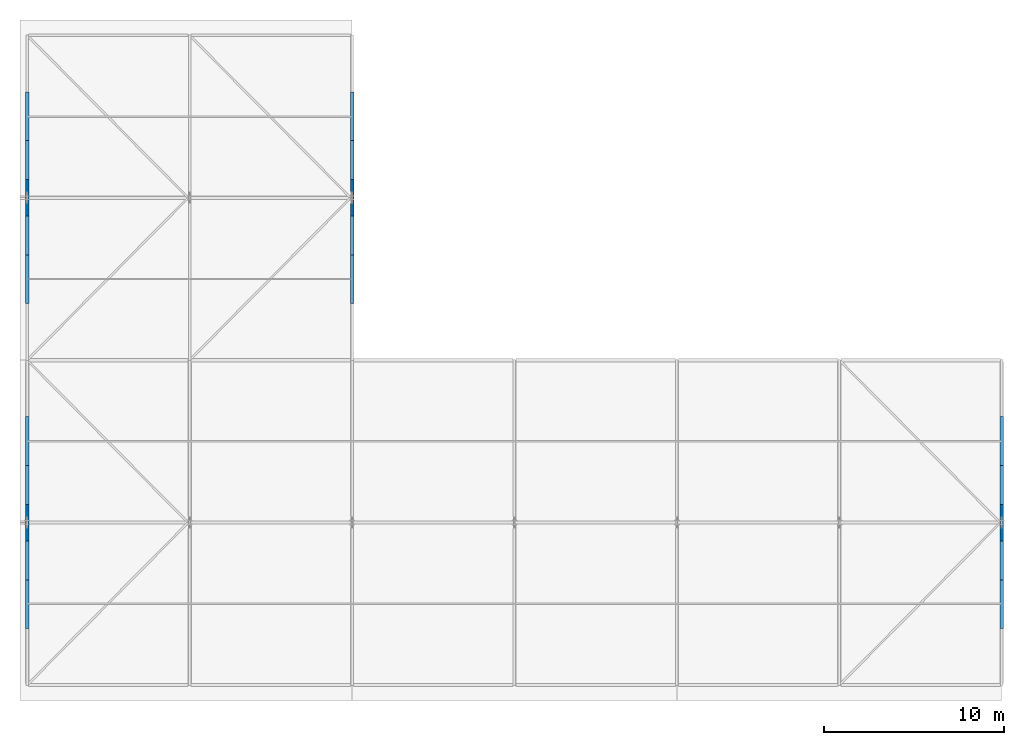
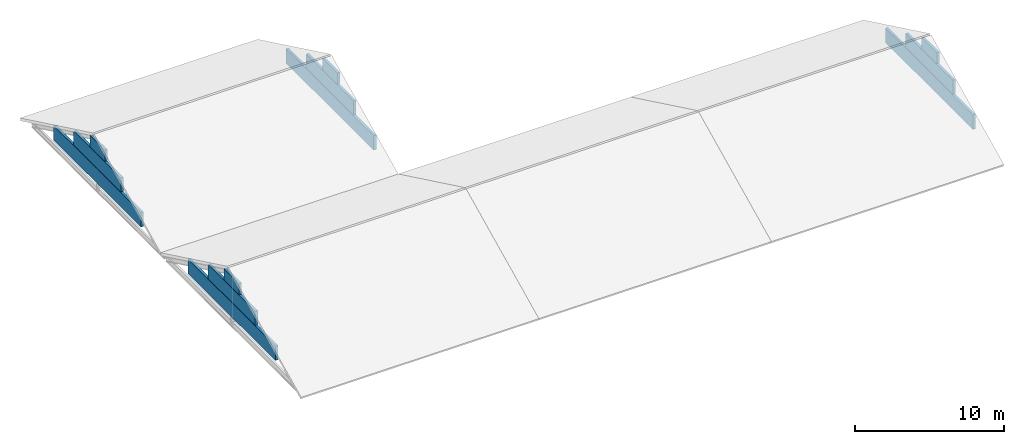
# One storey, part 9 of 9: 12 walls.
"""IFC4 building model written with IfcOpenShell, lengths in metres."""

from ifc_helpers import new_model, si_unit, direction, frame, frame_2d, origin, place, context, subcontext, project, spatial, rectangle, extrude, material, layer, layer_set, type_object, element, save


model = new_model("IFC4")

# Units and contexts
model_context = context("Model", 3, precision=1e-05, world=origin(), true_north=direction((0.0, 1.0)))
body_context = subcontext(model_context, "Body", "Model", "MODEL_VIEW")
ifc_project = project(units=[si_unit("LENGTHUNIT", "METRE"), si_unit("AREAUNIT", "SQUARE_METRE"), si_unit("VOLUMEUNIT", "CUBIC_METRE"), si_unit("PLANEANGLEUNIT", "RADIAN"), si_unit("MASSUNIT", "GRAM", prefix="KILO")], contexts=[model_context])

# Site, building, storey
site_placement = place(None, origin())
site = spatial("IfcSite", under=ifc_project, at=site_placement, CompositionType="ELEMENT")
building_placement = place(site_placement, origin())
building = spatial("IfcBuilding", under=site, at=building_placement, Name="Tharagai Park Tramway Depot", CompositionType="ELEMENT")
storey_placement = place(building_placement, frame((0.0, 0.0, 18.0)))
storey = spatial("IfcBuildingStorey", under=building, at=storey_placement, Name="RF", CompositionType="ELEMENT", Elevation=18.0)

# Walls
ifc_material = material(Name="Charnockite stone", Category="masonry")
ifc_layer = layer(ifc_material, 0.199951171875)
ifc_layer_set = layer_set([ifc_layer], Name="Charnockite stone")
wall_type = type_object("IfcWallType", Name="PRW-01", PredefinedType="PARAPET", material=ifc_layer_set)
wall_1_placement = place(storey_placement, frame((0.0, 3.1298828125, 0.080078125), z_axis=(0.0, 0.0, 1.0), x_axis=(0.0, 1.0, 0.0)))
element("IfcWall", 1, at=wall_1_placement, inside=storey, type_object=wall_type, Name="V4S Gothic Gable Tympanum Parapet Course 1", PredefinedType="PARAPET", context=body_context, shape_type="SweptSolid", body=[
    extrude(rectangle(XDim=11.740234375, YDim=0.199951171875, at=frame_2d((5.8701171875, 0.0))), origin(), (0.0, 0.0, 1.0), 1.197998046875),
])
wall_2_placement = place(storey_placement, frame((0.0, 5.830078125, 1.318115234375), z_axis=(0.0, 0.0, 1.0), x_axis=(0.0, 1.0, 0.0)))
element("IfcWall", 2, at=wall_2_placement, inside=storey, type_object=wall_type, Name="V4S Gothic Gable Tympanum Parapet Course 2", PredefinedType="PARAPET", context=body_context, shape_type="SweptSolid", body=[
    extrude(rectangle(XDim=6.33984375, YDim=0.199951171875, at=frame_2d((3.169921875, 0.0))), origin(), (0.0, 0.0, 1.0), 1.157958984375),
])
wall_3_placement = place(storey_placement, frame((0.0, 7.989990234375, 2.514892578125), z_axis=(0.0, 0.0, 1.0), x_axis=(0.0, 1.0, 0.0)))
element("IfcWall", 3, at=wall_3_placement, inside=storey, type_object=wall_type, Name="V4S Gothic Gable Tympanum Parapet Course 3", PredefinedType="PARAPET", context=body_context, shape_type="SweptSolid", body=[
    extrude(rectangle(XDim=2.02001953125, YDim=0.199951171875, at=frame_2d((1.010009765625, 0.0))), origin(), (0.0, 0.0, 1.0), 0.919189453125),
])
wall_4_placement = place(storey_placement, frame((54.0, 3.1298828125, 0.080078125), z_axis=(0.0, 0.0, 1.0), x_axis=(0.0, 1.0, 0.0)))
element("IfcWall", 4, at=wall_4_placement, inside=storey, type_object=wall_type, Name="V4S Gothic Gable Tympanum Parapet Course 1", PredefinedType="PARAPET", context=body_context, shape_type="SweptSolid", body=[
    extrude(rectangle(XDim=11.740234375, YDim=0.199951171875, at=frame_2d((5.8701171875, 0.0))), origin(), (0.0, 0.0, 1.0), 1.197998046875),
])
wall_5_placement = place(storey_placement, frame((54.0, 5.830078125, 1.318115234375), z_axis=(0.0, 0.0, 1.0), x_axis=(0.0, 1.0, 0.0)))
element("IfcWall", 5, at=wall_5_placement, inside=storey, type_object=wall_type, Name="V4S Gothic Gable Tympanum Parapet Course 2", PredefinedType="PARAPET", context=body_context, shape_type="SweptSolid", body=[
    extrude(rectangle(XDim=6.33984375, YDim=0.199951171875, at=frame_2d((3.169921875, 0.0))), origin(), (0.0, 0.0, 1.0), 1.157958984375),
])
wall_6_placement = place(storey_placement, frame((54.0, 7.989990234375, 2.514892578125), z_axis=(0.0, 0.0, 1.0), x_axis=(0.0, 1.0, 0.0)))
element("IfcWall", 6, at=wall_6_placement, inside=storey, type_object=wall_type, Name="V4S Gothic Gable Tympanum Parapet Course 3", PredefinedType="PARAPET", context=body_context, shape_type="SweptSolid", body=[
    extrude(rectangle(XDim=2.02001953125, YDim=0.199951171875, at=frame_2d((1.010009765625, 0.0))), origin(), (0.0, 0.0, 1.0), 0.919189453125),
])
wall_7_placement = place(storey_placement, frame((0.0, 21.1298828125, 0.080078125), z_axis=(0.0, 0.0, 1.0), x_axis=(0.0, 1.0, 0.0)))
element("IfcWall", 7, at=wall_7_placement, inside=storey, type_object=wall_type, Name="V4W Gothic Gable Tympanum Parapet Course 1", PredefinedType="PARAPET", context=body_context, shape_type="SweptSolid", body=[
    extrude(rectangle(XDim=11.740234375, YDim=0.199951171875, at=frame_2d((5.8701171875, 0.0))), origin(), (0.0, 0.0, 1.0), 1.197998046875),
])
wall_8_placement = place(storey_placement, frame((0.0, 23.830078125, 1.318115234375), z_axis=(0.0, 0.0, 1.0), x_axis=(0.0, 1.0, 0.0)))
element("IfcWall", 8, at=wall_8_placement, inside=storey, type_object=wall_type, Name="V4W Gothic Gable Tympanum Parapet Course 2", PredefinedType="PARAPET", context=body_context, shape_type="SweptSolid", body=[
    extrude(rectangle(XDim=6.33984375, YDim=0.199951171875, at=frame_2d((3.169921875, 0.0))), origin(), (0.0, 0.0, 1.0), 1.157958984375),
])
wall_9_placement = place(storey_placement, frame((0.0, 25.989990234375, 2.514892578125), z_axis=(0.0, 0.0, 1.0), x_axis=(0.0, 1.0, 0.0)))
element("IfcWall", 9, at=wall_9_placement, inside=storey, type_object=wall_type, Name="V4W Gothic Gable Tympanum Parapet Course 3", PredefinedType="PARAPET", context=body_context, shape_type="SweptSolid", body=[
    extrude(rectangle(XDim=2.02001953125, YDim=0.199951171875, at=frame_2d((1.010009765625, 0.0))), origin(), (0.0, 0.0, 1.0), 0.919189453125),
])
wall_10_placement = place(storey_placement, frame((18.0, 21.1298828125, 0.080078125), z_axis=(0.0, 0.0, 1.0), x_axis=(0.0, 1.0, 0.0)))
element("IfcWall", 10, at=wall_10_placement, inside=storey, type_object=wall_type, Name="V4W Gothic Gable Tympanum Parapet Course 1", PredefinedType="PARAPET", context=body_context, shape_type="SweptSolid", body=[
    extrude(rectangle(XDim=11.740234375, YDim=0.199951171875, at=frame_2d((5.8701171875, 0.0))), origin(), (0.0, 0.0, 1.0), 1.197998046875),
])
wall_11_placement = place(storey_placement, frame((18.0, 23.830078125, 1.318115234375), z_axis=(0.0, 0.0, 1.0), x_axis=(0.0, 1.0, 0.0)))
element("IfcWall", 11, at=wall_11_placement, inside=storey, type_object=wall_type, Name="V4W Gothic Gable Tympanum Parapet Course 2", PredefinedType="PARAPET", context=body_context, shape_type="SweptSolid", body=[
    extrude(rectangle(XDim=6.33984375, YDim=0.199951171875, at=frame_2d((3.169921875, 0.0))), origin(), (0.0, 0.0, 1.0), 1.157958984375),
])
wall_12_placement = place(storey_placement, frame((18.0, 25.989990234375, 2.514892578125), z_axis=(0.0, 0.0, 1.0), x_axis=(0.0, 1.0, 0.0)))
element("IfcWall", 12, at=wall_12_placement, inside=storey, type_object=wall_type, Name="V4W Gothic Gable Tympanum Parapet Course 3", PredefinedType="PARAPET", context=body_context, shape_type="SweptSolid", body=[
    extrude(rectangle(XDim=2.02001953125, YDim=0.199951171875, at=frame_2d((1.010009765625, 0.0))), origin(), (0.0, 0.0, 1.0), 0.919189453125),
])

save(model, "model.ifc")
